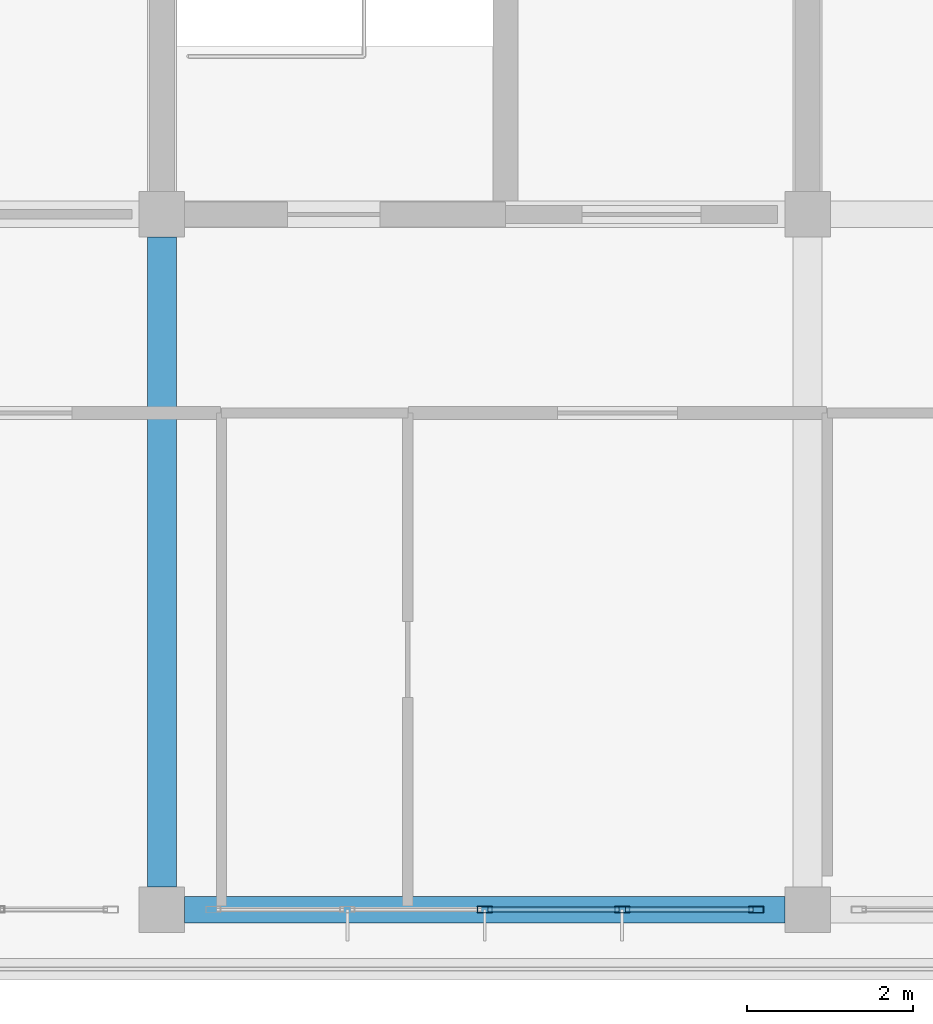
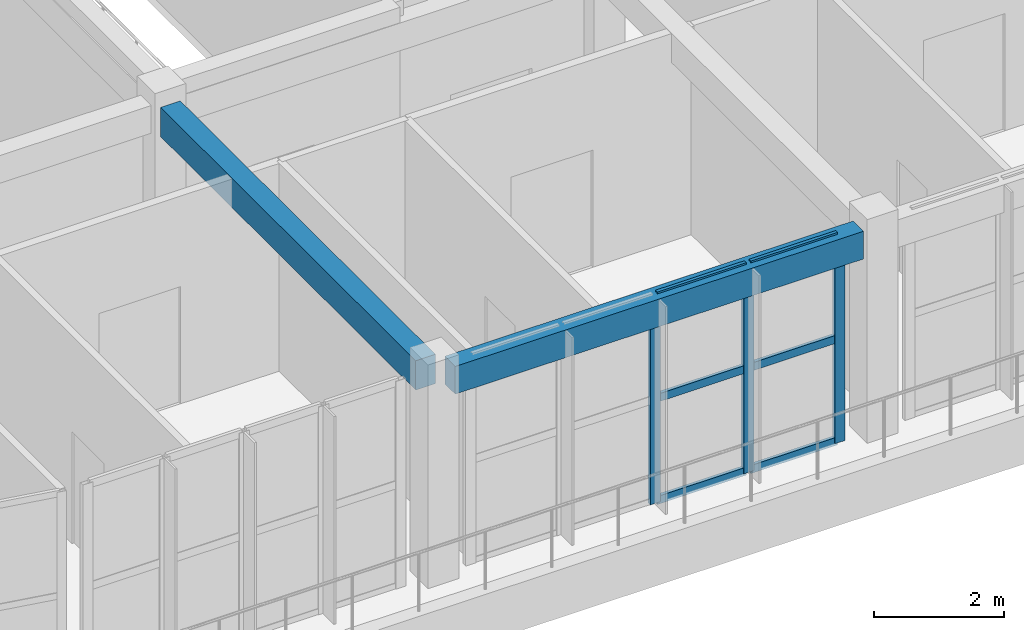
# One storey, part 5 of 33: 9 members, 2 beams, 1 element without a shape of its own.
"""IFC4 building model written with IfcOpenShell, lengths in metres."""

from ifc_helpers import new_model, si_unit, direction, frame, origin, origin_2d, place, context, subcontext, project, spatial, rectangle, hollow_rectangle, extrude, material, layer, layer_set, material_profile, profile_set, type_object, element, aggregate, save


model = new_model("IFC4")

# Units and contexts
model_context = context("Model", 3, precision=1e-05, world=origin(), true_north=direction((0.0, 1.0)))
body_context = subcontext(model_context, "Body", "Model", "MODEL_VIEW")
ifc_project = project(units=[si_unit("LENGTHUNIT", "METRE"), si_unit("AREAUNIT", "SQUARE_METRE"), si_unit("VOLUMEUNIT", "CUBIC_METRE"), si_unit("PLANEANGLEUNIT", "RADIAN"), si_unit("MASSUNIT", "GRAM", prefix="KILO")], contexts=[model_context])

# Site, building, storey
site_placement = place(None, origin())
site = spatial("IfcSite", under=ifc_project, at=site_placement, CompositionType="ELEMENT")
building_placement = place(site_placement, origin())
building = spatial("IfcBuilding", under=site, at=building_placement, Name="Zizhar Promenade General Hospital", CompositionType="ELEMENT")
storey_placement = place(building_placement, frame((0.0, 0.0, 39.0)))
storey = spatial("IfcBuildingStorey", under=building, at=storey_placement, Name="L09", CompositionType="ELEMENT", Elevation=39.0)

# Beams
ifc_material_1 = material(Name="Concrete C35/45", Category="concrete")
ifc_material_profile_1 = material_profile(ifc_material_1, rectangle(XDim=0.320068359375, YDim=0.52001953125, at=origin_2d()))
ifc_profile_set_1 = profile_set([ifc_material_profile_1], Name="Concrete C35/45")
beam_type_1 = type_object("IfcBeamType", Name="BM-RC-320x520", PredefinedType="LINTEL", material=ifc_profile_set_1)
beam_1_placement = place(storey_placement, frame((62.675048828125, 0.0, 3.64990234375), z_axis=(1.0, 0.0, 0.0), x_axis=(0.0, 1.0, 0.0)))
element("IfcBeam", 1, at=beam_1_placement, inside=storey, type_object=beam_type_1, Name="Grid Beam X L09 (8-0)", PredefinedType="LINTEL", context=body_context, shape_type="SweptSolid", body=[
    extrude(rectangle(XDim=0.320068359375, YDim=0.52001953125, at=origin_2d()), origin(), (0.0, 0.0, 1.0), 7.25),
])
ifc_material_2 = material(Name="Concrete C35/45", Category="concrete")
ifc_material_profile_2 = material_profile(ifc_material_2, rectangle(XDim=0.35009765625, YDim=0.550048828125, at=origin_2d()))
ifc_profile_set_2 = profile_set([ifc_material_profile_2], Name="Concrete C35/45")
beam_type_2 = type_object("IfcBeamType", Name="BM-RC-350x550", PredefinedType="LINTEL", material=ifc_profile_set_2)
beam_2_placement = place(storey_placement, frame((62.39990234375, 0.27490234375, 3.635009765625), z_axis=(0.0, 1.0, 0.0), x_axis=(-1.0, 0.0, 0.0)))
element("IfcBeam", 2, at=beam_2_placement, inside=storey, type_object=beam_type_2, Name="Grid Beam Y L09 (8-0)", PredefinedType="LINTEL", context=body_context, shape_type="SweptSolid", body=[
    extrude(rectangle(XDim=0.35009765625, YDim=0.550048828125, at=origin_2d()), origin(), (0.0, 0.0, 1.0), 7.85009765625),
])

# Curtain wall, members
ifc_material_3 = material(Name="Anodised aluminium 6063-T6 and low-E glass", Category="aluminium")
ifc_layer = layer(ifc_material_3, 0.159912109375)
ifc_layer_set = layer_set([ifc_layer], Name="Anodised aluminium 6063-T6 and low-E glass")
curtain_wall_type = type_object("IfcCurtainWallType", Name="CW-WARD-RIB", PredefinedType="NOTDEFINED", material=ifc_layer_set)
curtain_wall_placement = place(storey_placement, origin())
curtain_wall = element("IfcCurtainWall", 3, at=curtain_wall_placement, inside=storey, type_object=curtain_wall_type, Name="Ward Ribbon Curtain Wall L09-17-3", PredefinedType="NOTDEFINED")
ifc_material_4 = material(Name="Anodised aluminium 6063-T6", Category="aluminium")
ifc_material_profile_3 = material_profile(ifc_material_4, hollow_rectangle(XDim=0.080078125, YDim=0.179931640625, WallThickness=0.0048828125, at=origin_2d()))
ifc_profile_set_3 = profile_set([ifc_material_profile_3], Name="Anodised aluminium 6063-T6")
member_type_1 = type_object("IfcMemberType", Name="CWM-ALU-180x80", PredefinedType="MULLION", material=ifc_profile_set_3)
member_1_placement = place(storey_placement, frame((69.580078125, 0.0, 0.0), z_axis=(0.0, 0.0, 1.0), x_axis=(0.0, -1.0, 0.0)))
member_1 = element("IfcMember", 4, at=member_1_placement, type_object=member_type_1, Name="CW-13 mullion 1", PredefinedType="MULLION", context=body_context, shape_type="SweptSolid", body=[
    extrude(hollow_rectangle(XDim=0.080078125, YDim=0.179931640625, WallThickness=0.0048828125, at=origin_2d()), origin(), (0.0, 0.0, 1.0), 3.89990234375),
])
member_2_placement = place(storey_placement, frame((67.9599609375, 0.0, 0.0), z_axis=(0.0, 0.0, 1.0), x_axis=(0.0, -1.0, 0.0)))
member_2 = element("IfcMember", 5, at=member_2_placement, type_object=member_type_1, Name="CW-13 mullion 2", PredefinedType="MULLION", context=body_context, shape_type="SweptSolid", body=[
    extrude(hollow_rectangle(XDim=0.080078125, YDim=0.179931640625, WallThickness=0.0048828125, at=origin_2d()), origin(), (0.0, 0.0, 1.0), 3.89990234375),
])
member_3_placement = place(storey_placement, frame((66.300048828125, 0.0, 0.0), z_axis=(0.0, 0.0, 1.0), x_axis=(0.0, -1.0, 0.0)))
member_3 = element("IfcMember", 6, at=member_3_placement, type_object=member_type_1, Name="CW-13 mullion 3", PredefinedType="MULLION", context=body_context, shape_type="SweptSolid", body=[
    extrude(hollow_rectangle(XDim=0.080078125, YDim=0.179931640625, WallThickness=0.0048828125, at=origin_2d()), origin(), (0.0, 0.0, 1.0), 3.89990234375),
])
ifc_material_5 = material(Name="Anodised aluminium 6063-T6", Category="aluminium")
ifc_material_profile_4 = material_profile(ifc_material_5, hollow_rectangle(XDim=0.06005859375, YDim=0.14990234375, WallThickness=0.00390625, at=origin_2d()))
ifc_profile_set_4 = profile_set([ifc_material_profile_4], Name="Anodised aluminium 6063-T6")
member_type_2 = type_object("IfcMemberType", Name="CWT-ALU-150x60", PredefinedType="USERDEFINED", material=ifc_profile_set_4)
member_4_placement = place(storey_placement, frame((69.5400390625, 0.0, 0.030029296875), z_axis=(-1.0, 0.0, 0.0), x_axis=(0.0, -1.0, 0.0)))
member_4 = element("IfcMember", 7, at=member_4_placement, type_object=member_type_2, Name="CW-13 transom 1.1", ObjectType="TRANSOM", PredefinedType="USERDEFINED", context=body_context, shape_type="SweptSolid", body=[
    extrude(hollow_rectangle(XDim=0.06005859375, YDim=0.14990234375, WallThickness=0.00390625, at=origin_2d()), origin(), (0.0, 0.0, 1.0), 1.5400390625),
])
member_5_placement = place(storey_placement, frame((69.5400390625, 0.0, 1.949951171875), z_axis=(-1.0, 0.0, 0.0), x_axis=(0.0, -1.0, 0.0)))
member_5 = element("IfcMember", 8, at=member_5_placement, type_object=member_type_2, Name="CW-13 transom 1.2", ObjectType="TRANSOM", PredefinedType="USERDEFINED", context=body_context, shape_type="SweptSolid", body=[
    extrude(hollow_rectangle(XDim=0.06005859375, YDim=0.14990234375, WallThickness=0.00390625, at=origin_2d()), origin(), (0.0, 0.0, 1.0), 1.5400390625),
])
member_6_placement = place(storey_placement, frame((69.5400390625, 0.0, 3.8701171875), z_axis=(-1.0, 0.0, 0.0), x_axis=(0.0, -1.0, 0.0)))
member_6 = element("IfcMember", 9, at=member_6_placement, type_object=member_type_2, Name="CW-13 transom 1.3", ObjectType="TRANSOM", PredefinedType="USERDEFINED", context=body_context, shape_type="SweptSolid", body=[
    extrude(hollow_rectangle(XDim=0.06005859375, YDim=0.14990234375, WallThickness=0.00390625, at=origin_2d()), origin(), (0.0, 0.0, 1.0), 1.5400390625),
])
member_7_placement = place(storey_placement, frame((67.919921875, 0.0, 0.030029296875), z_axis=(-1.0, 0.0, 0.0), x_axis=(0.0, -1.0, 0.0)))
member_7 = element("IfcMember", 10, at=member_7_placement, type_object=member_type_2, Name="CW-13 transom 2.1", ObjectType="TRANSOM", PredefinedType="USERDEFINED", context=body_context, shape_type="SweptSolid", body=[
    extrude(hollow_rectangle(XDim=0.06005859375, YDim=0.14990234375, WallThickness=0.00390625, at=origin_2d()), origin(), (0.0, 0.0, 1.0), 1.579833984375),
])
member_8_placement = place(storey_placement, frame((67.919921875, 0.0, 1.949951171875), z_axis=(-1.0, 0.0, 0.0), x_axis=(0.0, -1.0, 0.0)))
member_8 = element("IfcMember", 11, at=member_8_placement, type_object=member_type_2, Name="CW-13 transom 2.2", ObjectType="TRANSOM", PredefinedType="USERDEFINED", context=body_context, shape_type="SweptSolid", body=[
    extrude(hollow_rectangle(XDim=0.06005859375, YDim=0.14990234375, WallThickness=0.00390625, at=origin_2d()), origin(), (0.0, 0.0, 1.0), 1.579833984375),
])
member_9_placement = place(storey_placement, frame((67.919921875, 0.0, 3.8701171875), z_axis=(-1.0, 0.0, 0.0), x_axis=(0.0, -1.0, 0.0)))
member_9 = element("IfcMember", 12, at=member_9_placement, type_object=member_type_2, Name="CW-13 transom 2.3", ObjectType="TRANSOM", PredefinedType="USERDEFINED", context=body_context, shape_type="SweptSolid", body=[
    extrude(hollow_rectangle(XDim=0.06005859375, YDim=0.14990234375, WallThickness=0.00390625, at=origin_2d()), origin(), (0.0, 0.0, 1.0), 1.579833984375),
])
aggregate(curtain_wall, [member_1, member_2, member_3, member_4, member_5, member_6, member_7, member_8, member_9])

save(model, "model.ifc")
